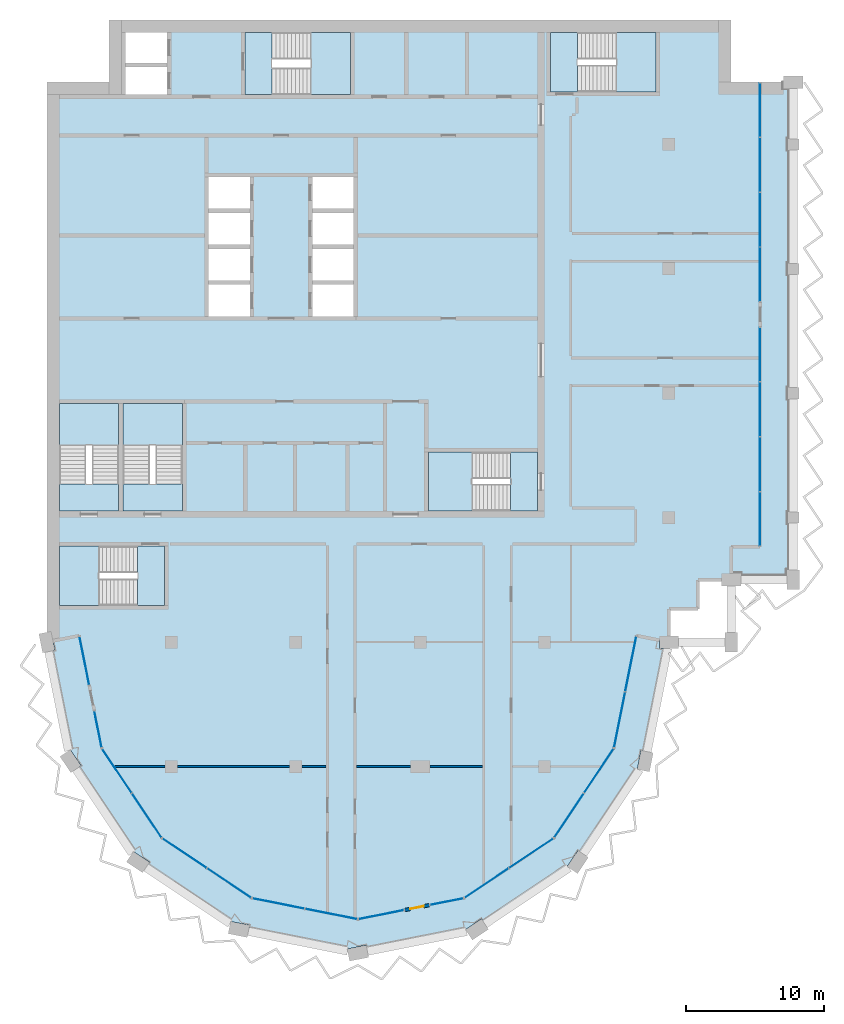
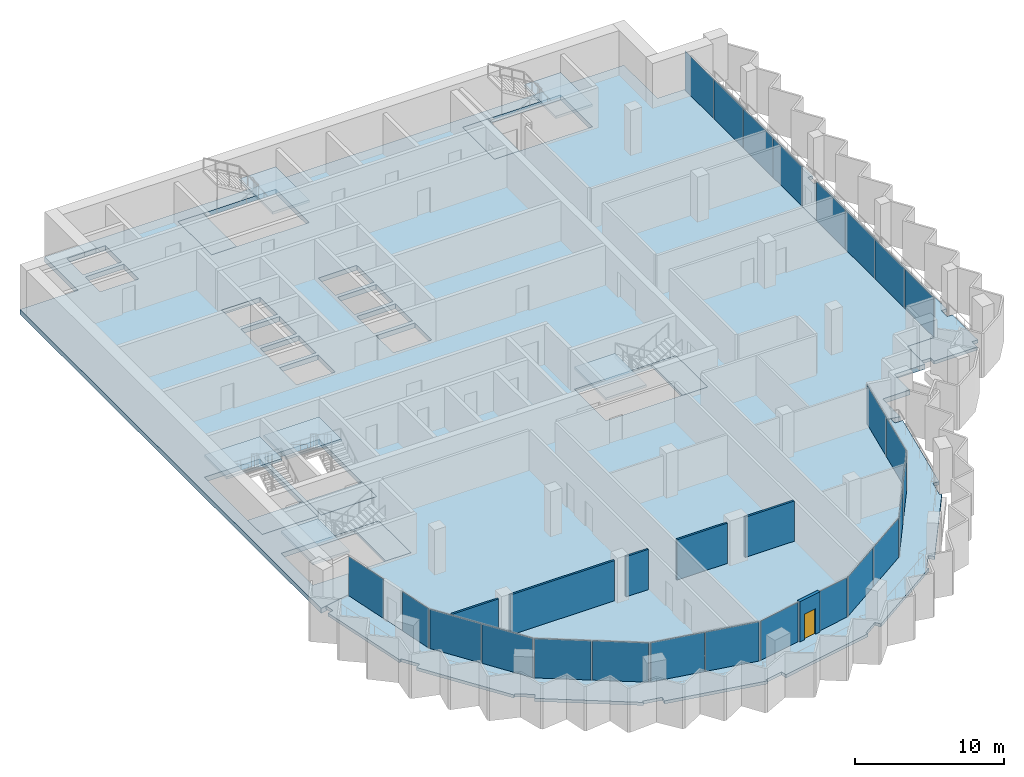
# One storey, part 6 of 14: 24 plates, 15 slabs, 6 walls, 1 door, 1 opening, 18 elements without a shape of their own.
"""IFC4 building model written with IfcOpenShell, lengths in metres."""

from ifc_helpers import new_model, si_unit, direction, frame, frame_2d, origin, origin_2d, place, context, subcontext, project, spatial, polyline, rectangle, outline, extrude, material, layer, layer_set, type_object, element, fill, aggregate, save


model = new_model("IFC4")

# Units and contexts
model_context = context("Model", 3, precision=1e-05, world=origin(), true_north=direction((0.0, 1.0)))
body_context = subcontext(model_context, "Body", "Model", "MODEL_VIEW")
ifc_project = project(units=[si_unit("LENGTHUNIT", "METRE"), si_unit("AREAUNIT", "SQUARE_METRE"), si_unit("VOLUMEUNIT", "CUBIC_METRE"), si_unit("PLANEANGLEUNIT", "RADIAN"), si_unit("MASSUNIT", "GRAM", prefix="KILO")], contexts=[model_context])

# Site, building, storey
site_placement = place(None, origin())
site = spatial("IfcSite", under=ifc_project, at=site_placement, CompositionType="ELEMENT")
building_placement = place(site_placement, origin())
building = spatial("IfcBuilding", under=site, at=building_placement, Name="Hunhe Ridgeline Campus", CompositionType="ELEMENT")
storey_placement = place(building_placement, frame((0.0, 0.0, 284.5)))
storey = spatial("IfcBuildingStorey", under=building, at=storey_placement, Name="L73", CompositionType="ELEMENT", Elevation=284.5)

# Curtain wall, plate
ifc_material_1 = material(Name="Aluminium 6063", Category="aluminium")
curtain_wall_type_1 = type_object("IfcCurtainWallType", Name="Curtain wall CW-5", PredefinedType="NOTDEFINED", material=ifc_material_1)
curtain_wall_1_placement = place(storey_placement, origin())
curtain_wall_1 = element("IfcCurtainWall", 1, at=curtain_wall_1_placement, inside=storey, type_object=curtain_wall_type_1, Name="Curtain wall 01", PredefinedType="NOTDEFINED")
ifc_material_2 = material(Name="Low-e laminated glass", Category="glass")
ifc_layer_1 = layer(ifc_material_2, 0.028076171875)
ifc_layer_set_1 = layer_set([ifc_layer_1], Name="Curtain wall glass panel 28 low-e laminated")
plate_type = type_object("IfcPlateType", Name="Curtain wall glass panel 28 low-e laminated", PredefinedType="CURTAIN_PANEL", material=ifc_layer_set_1)
plate_1_placement = place(storey_placement, frame((2.7158203125, 52.65380859375, 0.0), z_axis=(0.0, 0.0, 1.0), x_axis=(0.195095326561, -0.980784284924, 0.0)))
plate_1 = element("IfcPlate", 2, at=plate_1_placement, type_object=plate_type, Name="CW-5 panel 1", PredefinedType="CURTAIN_PANEL", context=body_context, shape_type="SweptSolid", body=[
    extrude(rectangle(XDim=3.560791015625, YDim=0.028076171875, at=origin_2d()), origin(), (0.0, 0.0, 1.0), 3.22998046875),
])
aggregate(curtain_wall_1, [plate_1])

curtain_wall_2_placement = place(storey_placement, origin())
curtain_wall_2 = element("IfcCurtainWall", 3, at=curtain_wall_2_placement, inside=storey, type_object=curtain_wall_type_1, Name="Curtain wall 02", PredefinedType="NOTDEFINED")
plate_2_placement = place(storey_placement, frame((3.701171875, 47.699951171875, 0.0), z_axis=(0.0, 0.0, 1.0), x_axis=(0.195095265587, -0.980784297053, 0.0)))
plate_2 = element("IfcPlate", 4, at=plate_2_placement, type_object=plate_type, Name="CW-5 panel 1", PredefinedType="CURTAIN_PANEL", context=body_context, shape_type="SweptSolid", body=[
    extrude(rectangle(XDim=2.660888671875, YDim=0.028076171875, at=origin_2d()), origin(), (0.0, 0.0, 1.0), 3.22998046875),
])
aggregate(curtain_wall_2, [plate_2])

# Curtain wall, plates
curtain_wall_3_placement = place(storey_placement, origin())
curtain_wall_3 = element("IfcCurtainWall", 5, at=curtain_wall_3_placement, inside=storey, type_object=curtain_wall_type_1, Name="Curtain wall 03", PredefinedType="NOTDEFINED")
plate_3_placement = place(storey_placement, frame((5.07080078125, 44.685546875, 0.0), z_axis=(0.0, 0.0, 1.0), x_axis=(0.555570274596, -0.831469584522, 0.0)))
plate_3 = element("IfcPlate", 6, at=plate_3_placement, type_object=plate_type, Name="CW-5 panel 1", PredefinedType="CURTAIN_PANEL", context=body_context, shape_type="SweptSolid", body=[
    extrude(rectangle(XDim=3.806884765625, YDim=0.028076171875, at=origin_2d()), origin(), (0.0, 0.0, 1.0), 3.22998046875),
])
plate_4_placement = place(storey_placement, frame((7.224609375, 41.4619140625, 0.0), z_axis=(0.0, 0.0, 1.0), x_axis=(0.555570274596, -0.831469584522, 0.0)))
plate_4 = element("IfcPlate", 7, at=plate_4_placement, type_object=plate_type, Name="CW-5 panel 2", PredefinedType="CURTAIN_PANEL", context=body_context, shape_type="SweptSolid", body=[
    extrude(rectangle(XDim=3.806884765625, YDim=0.028076171875, at=origin_2d()), origin(), (0.0, 0.0, 1.0), 3.22998046875),
])
aggregate(curtain_wall_3, [plate_3, plate_4])

curtain_wall_4_placement = place(storey_placement, origin())
curtain_wall_4 = element("IfcCurtainWall", 8, at=curtain_wall_4_placement, inside=storey, type_object=curtain_wall_type_1, Name="Curtain wall 04", PredefinedType="NOTDEFINED")
plate_5_placement = place(storey_placement, frame((9.9619140625, 38.724609375, 0.0), z_axis=(0.0, 0.0, 1.0), x_axis=(0.831469584522, -0.555570274596, 0.0)))
plate_5 = element("IfcPlate", 9, at=plate_5_placement, type_object=plate_type, Name="CW-5 panel 1", PredefinedType="CURTAIN_PANEL", context=body_context, shape_type="SweptSolid", body=[
    extrude(rectangle(XDim=3.806884765625, YDim=0.028076171875, at=origin_2d()), origin(), (0.0, 0.0, 1.0), 3.22998046875),
])
plate_6_placement = place(storey_placement, frame((13.185546875, 36.57080078125, 0.0), z_axis=(0.0, 0.0, 1.0), x_axis=(0.831469584522, -0.555570274596, 0.0)))
plate_6 = element("IfcPlate", 10, at=plate_6_placement, type_object=plate_type, Name="CW-5 panel 2", PredefinedType="CURTAIN_PANEL", context=body_context, shape_type="SweptSolid", body=[
    extrude(rectangle(XDim=3.806884765625, YDim=0.028076171875, at=origin_2d()), origin(), (0.0, 0.0, 1.0), 3.22998046875),
])
aggregate(curtain_wall_4, [plate_5, plate_6])

curtain_wall_5_placement = place(storey_placement, origin())
curtain_wall_5 = element("IfcCurtainWall", 11, at=curtain_wall_5_placement, inside=storey, type_object=curtain_wall_type_1, Name="Curtain wall 05", PredefinedType="NOTDEFINED")
plate_7_placement = place(storey_placement, frame((16.761962890625, 35.08935546875, 0.0), z_axis=(0.0, 0.0, 1.0), x_axis=(0.980785275326, -0.195090347539, 0.0)))
plate_7 = element("IfcPlate", 12, at=plate_7_placement, type_object=plate_type, Name="CW-5 panel 1", PredefinedType="CURTAIN_PANEL", context=body_context, shape_type="SweptSolid", body=[
    extrude(rectangle(XDim=3.806884765625, YDim=0.028076171875, at=origin_2d()), origin(), (0.0, 0.0, 1.0), 3.22998046875),
])
plate_8_placement = place(storey_placement, frame((20.564453125, 34.3330078125, 0.0), z_axis=(0.0, 0.0, 1.0), x_axis=(0.980785275326, -0.195090347539, 0.0)))
plate_8 = element("IfcPlate", 13, at=plate_8_placement, type_object=plate_type, Name="CW-5 panel 2", PredefinedType="CURTAIN_PANEL", context=body_context, shape_type="SweptSolid", body=[
    extrude(rectangle(XDim=3.806884765625, YDim=0.028076171875, at=origin_2d()), origin(), (0.0, 0.0, 1.0), 3.22998046875),
])
aggregate(curtain_wall_5, [plate_7, plate_8])

# Curtain wall, plate
curtain_wall_6_placement = place(storey_placement, origin())
curtain_wall_6 = element("IfcCurtainWall", 14, at=curtain_wall_6_placement, inside=storey, type_object=curtain_wall_type_1, Name="Curtain wall 06", PredefinedType="NOTDEFINED")
plate_9_placement = place(storey_placement, frame((24.19775390625, 34.28564453125, 0.0), z_axis=(0.0, 0.0, 1.0), x_axis=(0.980785270791, 0.19509037034, 0.0)))
plate_9 = element("IfcPlate", 15, at=plate_9_placement, type_object=plate_type, Name="CW-5 panel 1", PredefinedType="CURTAIN_PANEL", context=body_context, shape_type="SweptSolid", body=[
    extrude(rectangle(XDim=3.322021484375, YDim=0.028076171875, at=origin_2d()), origin(), (0.0, 0.0, 1.0), 3.22998046875),
])
aggregate(curtain_wall_6, [plate_9])

curtain_wall_7_placement = place(storey_placement, origin())
curtain_wall_7 = element("IfcCurtainWall", 16, at=curtain_wall_7_placement, inside=storey, type_object=curtain_wall_type_1, Name="Curtain wall 07", PredefinedType="NOTDEFINED")
plate_10_placement = place(storey_placement, frame((28.917236328125, 35.224609375, 0.0), z_axis=(0.0, 0.0, 1.0), x_axis=(0.980785242091, 0.195090514627, 0.0)))
plate_10 = element("IfcPlate", 17, at=plate_10_placement, type_object=plate_type, Name="CW-5 panel 1", PredefinedType="CURTAIN_PANEL", context=body_context, shape_type="SweptSolid", body=[
    extrude(rectangle(XDim=2.421875, YDim=0.028076171875, at=origin_2d()), origin(), (0.0, 0.0, 1.0), 3.22998046875),
])
aggregate(curtain_wall_7, [plate_10])

# Curtain wall, plates
curtain_wall_8_placement = place(storey_placement, origin())
curtain_wall_8 = element("IfcCurtainWall", 18, at=curtain_wall_8_placement, inside=storey, type_object=curtain_wall_type_1, Name="Curtain wall 08", PredefinedType="NOTDEFINED")
plate_11_placement = place(storey_placement, frame((31.814453125, 36.57080078125, 0.0), z_axis=(0.0, 0.0, 1.0), x_axis=(0.831469584522, 0.555570274596, 0.0)))
plate_11 = element("IfcPlate", 19, at=plate_11_placement, type_object=plate_type, Name="CW-5 panel 1", PredefinedType="CURTAIN_PANEL", context=body_context, shape_type="SweptSolid", body=[
    extrude(rectangle(XDim=3.806884765625, YDim=0.028076171875, at=origin_2d()), origin(), (0.0, 0.0, 1.0), 3.22998046875),
])
plate_12_placement = place(storey_placement, frame((35.0380859375, 38.724609375, 0.0), z_axis=(0.0, 0.0, 1.0), x_axis=(0.831469584522, 0.555570274596, 0.0)))
plate_12 = element("IfcPlate", 20, at=plate_12_placement, type_object=plate_type, Name="CW-5 panel 2", PredefinedType="CURTAIN_PANEL", context=body_context, shape_type="SweptSolid", body=[
    extrude(rectangle(XDim=3.806884765625, YDim=0.028076171875, at=origin_2d()), origin(), (0.0, 0.0, 1.0), 3.22998046875),
])
aggregate(curtain_wall_8, [plate_11, plate_12])

curtain_wall_9_placement = place(storey_placement, origin())
curtain_wall_9 = element("IfcCurtainWall", 21, at=curtain_wall_9_placement, inside=storey, type_object=curtain_wall_type_1, Name="Curtain wall 09", PredefinedType="NOTDEFINED")
plate_13_placement = place(storey_placement, frame((37.775390625, 41.4619140625, 0.0), z_axis=(0.0, 0.0, 1.0), x_axis=(0.555570274596, 0.831469584522, 0.0)))
plate_13 = element("IfcPlate", 22, at=plate_13_placement, type_object=plate_type, Name="CW-5 panel 1", PredefinedType="CURTAIN_PANEL", context=body_context, shape_type="SweptSolid", body=[
    extrude(rectangle(XDim=3.806884765625, YDim=0.028076171875, at=origin_2d()), origin(), (0.0, 0.0, 1.0), 3.22998046875),
])
plate_14_placement = place(storey_placement, frame((39.92919921875, 44.685546875, 0.0), z_axis=(0.0, 0.0, 1.0), x_axis=(0.555570274596, 0.831469584522, 0.0)))
plate_14 = element("IfcPlate", 23, at=plate_14_placement, type_object=plate_type, Name="CW-5 panel 2", PredefinedType="CURTAIN_PANEL", context=body_context, shape_type="SweptSolid", body=[
    extrude(rectangle(XDim=3.806884765625, YDim=0.028076171875, at=origin_2d()), origin(), (0.0, 0.0, 1.0), 3.22998046875),
])
aggregate(curtain_wall_9, [plate_13, plate_14])

curtain_wall_10_placement = place(storey_placement, origin())
curtain_wall_10 = element("IfcCurtainWall", 24, at=curtain_wall_10_placement, inside=storey, type_object=curtain_wall_type_1, Name="Curtain wall 10", PredefinedType="NOTDEFINED")
plate_15_placement = place(storey_placement, frame((41.433837890625, 48.379150390625, 0.0), z_axis=(0.0, 0.0, 1.0), x_axis=(0.19510421996, 0.980782515828, 0.0)))
plate_15 = element("IfcPlate", 25, at=plate_15_placement, type_object=plate_type, Name="CW-5 panel 1", PredefinedType="CURTAIN_PANEL", context=body_context, shape_type="SweptSolid", body=[
    extrude(rectangle(XDim=4.0458984375, YDim=0.028076171875, at=origin_2d()), origin(), (0.0, 0.0, 1.0), 3.22998046875),
])
plate_16_placement = place(storey_placement, frame((42.237060546875, 52.416015625, 0.0), z_axis=(0.0, 0.0, 1.0), x_axis=(0.19510421996, 0.980782515828, 0.0)))
plate_16 = element("IfcPlate", 26, at=plate_16_placement, type_object=plate_type, Name="CW-5 panel 2", PredefinedType="CURTAIN_PANEL", context=body_context, shape_type="SweptSolid", body=[
    extrude(rectangle(XDim=4.0458984375, YDim=0.028076171875, at=origin_2d()), origin(), (0.0, 0.0, 1.0), 3.22998046875),
])
aggregate(curtain_wall_10, [plate_15, plate_16])

curtain_wall_type_2 = type_object("IfcCurtainWallType", Name="Curtain wall CW-1", PredefinedType="NOTDEFINED", material=ifc_material_1)
curtain_wall_11_placement = place(storey_placement, origin())
curtain_wall_11 = element("IfcCurtainWall", 27, at=curtain_wall_11_placement, inside=storey, type_object=curtain_wall_type_2, Name="Curtain wall 11", PredefinedType="NOTDEFINED")
plate_17_placement = place(storey_placement, frame((51.59912109375, 62.9033203125, 0.0), z_axis=(0.0, 0.0, 1.0), x_axis=(0.0, 1.0, 0.0)))
plate_17 = element("IfcPlate", 28, at=plate_17_placement, type_object=plate_type, Name="CW-1 panel 1", PredefinedType="CURTAIN_PANEL", context=body_context, shape_type="SweptSolid", body=[
    extrude(rectangle(XDim=3.884765625, YDim=0.028076171875, at=origin_2d()), origin(), (0.0, 0.0, 1.0), 3.239990234375),
])
plate_18_placement = place(storey_placement, frame((51.59912109375, 66.86328125, 0.0), z_axis=(0.0, 0.0, 1.0), x_axis=(0.0, 1.0, 0.0)))
plate_18 = element("IfcPlate", 29, at=plate_18_placement, type_object=plate_type, Name="CW-1 panel 2", PredefinedType="CURTAIN_PANEL", context=body_context, shape_type="SweptSolid", body=[
    extrude(rectangle(XDim=3.914794921875, YDim=0.028076171875, at=origin_2d()), origin(), (0.0, 0.0, 1.0), 3.239990234375),
])
plate_19_placement = place(storey_placement, frame((51.59912109375, 70.838134765625, 0.0), z_axis=(0.0, 0.0, 1.0), x_axis=(0.0, 1.0, 0.0)))
plate_19 = element("IfcPlate", 30, at=plate_19_placement, type_object=plate_type, Name="CW-1 panel 3", PredefinedType="CURTAIN_PANEL", context=body_context, shape_type="SweptSolid", body=[
    extrude(rectangle(XDim=3.914794921875, YDim=0.028076171875, at=origin_2d()), origin(), (0.0, 0.0, 1.0), 3.239990234375),
])
plate_20_placement = place(storey_placement, frame((51.59912109375, 74.798095703125, 0.0), z_axis=(0.0, 0.0, 1.0), x_axis=(0.0, 1.0, 0.0)))
plate_20 = element("IfcPlate", 31, at=plate_20_placement, type_object=plate_type, Name="CW-1 panel 4", PredefinedType="CURTAIN_PANEL", context=body_context, shape_type="SweptSolid", body=[
    extrude(rectangle(XDim=3.884765625, YDim=0.028076171875, at=origin_2d()), origin(), (0.0, 0.0, 1.0), 3.239990234375),
])
aggregate(curtain_wall_11, [plate_17, plate_18, plate_19, plate_20])

curtain_wall_12_placement = place(storey_placement, origin())
curtain_wall_12 = element("IfcCurtainWall", 32, at=curtain_wall_12_placement, inside=storey, type_object=curtain_wall_type_2, Name="Curtain wall 12", PredefinedType="NOTDEFINED")
plate_21_placement = place(storey_placement, frame((51.59912109375, 80.60302734375, 0.0), z_axis=(0.0, 0.0, 1.0), x_axis=(0.0, 1.0, 0.0)))
plate_21 = element("IfcPlate", 33, at=plate_21_placement, type_object=plate_type, Name="CW-1 panel 1", PredefinedType="CURTAIN_PANEL", context=body_context, shape_type="SweptSolid", body=[
    extrude(rectangle(XDim=3.884765625, YDim=0.028076171875, at=origin_2d()), origin(), (0.0, 0.0, 1.0), 3.239990234375),
])
plate_22_placement = place(storey_placement, frame((51.59912109375, 84.562744140625, 0.0), z_axis=(0.0, 0.0, 1.0), x_axis=(0.0, 1.0, 0.0)))
plate_22 = element("IfcPlate", 34, at=plate_22_placement, type_object=plate_type, Name="CW-1 panel 2", PredefinedType="CURTAIN_PANEL", context=body_context, shape_type="SweptSolid", body=[
    extrude(rectangle(XDim=3.914794921875, YDim=0.028076171875, at=origin_2d()), origin(), (0.0, 0.0, 1.0), 3.239990234375),
])
plate_23_placement = place(storey_placement, frame((51.59912109375, 88.53759765625, 0.0), z_axis=(0.0, 0.0, 1.0), x_axis=(0.0, 1.0, 0.0)))
plate_23 = element("IfcPlate", 35, at=plate_23_placement, type_object=plate_type, Name="CW-1 panel 3", PredefinedType="CURTAIN_PANEL", context=body_context, shape_type="SweptSolid", body=[
    extrude(rectangle(XDim=3.914794921875, YDim=0.028076171875, at=origin_2d()), origin(), (0.0, 0.0, 1.0), 3.239990234375),
])
plate_24_placement = place(storey_placement, frame((51.59912109375, 92.49755859375, 0.0), z_axis=(0.0, 0.0, 1.0), x_axis=(0.0, 1.0, 0.0)))
plate_24 = element("IfcPlate", 36, at=plate_24_placement, type_object=plate_type, Name="CW-1 panel 4", PredefinedType="CURTAIN_PANEL", context=body_context, shape_type="SweptSolid", body=[
    extrude(rectangle(XDim=3.884765625, YDim=0.028076171875, at=origin_2d()), origin(), (0.0, 0.0, 1.0), 3.239990234375),
])
aggregate(curtain_wall_12, [plate_21, plate_22, plate_23, plate_24])

# Slabs
ifc_material_3 = material(Name="Concrete C40", Category="concrete")
ifc_layer_2 = layer(ifc_material_3, 0.39990234375)
ifc_layer_set_2 = layer_set([ifc_layer_2], Name="Floor slab 400 Concrete C40")
slab_type_1 = type_object("IfcSlabType", Name="Floor slab 400 Concrete C40", PredefinedType="FLOOR", material=ifc_layer_set_2)
slab_1_placement = place(storey_placement, frame((0.0, 0.0, -0.39990234375)))
element("IfcSlab", 37, at=slab_1_placement, inside=storey, type_object=slab_type_1, Name="Floor slab L73 1", PredefinedType="FLOOR", context=body_context, shape_type="SweptSolid", body=[
    extrude(outline(polyline([(36.678955078125, 39.821044921875), (41.025634765625, 46.326416015625), (42.645263671875, 54.46875), (44.9990234375, 54.001220703125), (44.999267578125, 56.400634765625), (47.09912109375, 56.40087890625), (47.099609375, 58.5009765625), (49.4990234375, 58.5009765625), (49.49951171875, 60.90087890625), (51.59912109375, 60.90087890625), (51.59912109375, 94.5), (49.5, 94.5), (49.5, 99.0), (4.5, 99.0), (4.5, 94.5), (0.0, 94.5), (0.0, 54.0009765625), (2.354736328125, 54.46875), (3.974365234375, 46.326416015625), (8.321044921875, 39.821044921875), (14.826416015625, 35.474365234375), (22.5, 33.947998046875), (30.173583984375, 35.474365234375), (36.678955078125, 39.821044921875)]), holes=[polyline([(44.050048828125, 98.10009765625), (36.449951171875, 98.10009765625), (36.449951171875, 93.800048828125), (44.050048828125, 93.800048828125), (44.050048828125, 98.10009765625)]), polyline([(27.60009765625, 67.75), (27.60009765625, 63.5), (35.5, 63.5), (35.5, 67.75), (27.60009765625, 67.75)]), polyline([(22.199951171875, 85.35009765625), (22.199951171875, 87.64990234375), (19.199951171875, 87.64990234375), (19.199951171875, 85.35009765625), (22.199951171875, 85.35009765625)]), polyline([(22.199951171875, 85.050048828125), (19.199951171875, 85.050048828125), (19.199951171875, 82.75), (22.199951171875, 82.75), (22.199951171875, 85.050048828125)]), polyline([(19.199951171875, 82.449951171875), (19.199951171875, 80.14990234375), (22.199951171875, 80.14990234375), (22.199951171875, 82.449951171875), (19.199951171875, 82.449951171875)]), polyline([(19.199951171875, 77.550048828125), (22.199951171875, 77.550048828125), (22.199951171875, 79.85009765625), (19.199951171875, 79.85009765625), (19.199951171875, 77.550048828125)]), polyline([(21.949951171875, 98.10009765625), (14.35009765625, 98.10009765625), (14.35009765625, 93.60009765625), (21.949951171875, 93.60009765625), (21.949951171875, 98.10009765625)]), polyline([(14.699951171875, 85.35009765625), (14.699951171875, 87.64990234375), (11.699951171875, 87.64990234375), (11.699951171875, 85.35009765625), (14.699951171875, 85.35009765625)]), polyline([(14.699951171875, 85.050048828125), (11.699951171875, 85.050048828125), (11.699951171875, 82.75), (14.699951171875, 82.75), (14.699951171875, 85.050048828125)]), polyline([(11.699951171875, 82.449951171875), (11.699951171875, 80.14990234375), (14.699951171875, 80.14990234375), (14.699951171875, 82.449951171875), (11.699951171875, 82.449951171875)]), polyline([(11.699951171875, 77.550048828125), (14.699951171875, 77.550048828125), (14.699951171875, 79.85009765625), (11.699951171875, 79.85009765625), (11.699951171875, 77.550048828125)]), polyline([(5.5, 63.5), (9.800048828125, 63.5), (9.800048828125, 71.25), (5.5, 71.25), (5.5, 63.5)]), polyline([(5.699951171875, 98.10009765625), (5.699951171875, 95.89990234375), (8.699951171875, 95.89990234375), (8.699951171875, 98.10009765625), (5.699951171875, 98.10009765625)]), polyline([(5.699951171875, 93.60009765625), (8.699951171875, 93.60009765625), (8.699951171875, 95.60009765625), (5.699951171875, 95.60009765625), (5.699951171875, 93.60009765625)]), polyline([(0.89990234375, 60.949951171875), (0.89990234375, 56.64990234375), (8.5, 56.64990234375), (8.5, 60.949951171875), (0.89990234375, 60.949951171875)]), polyline([(5.199951171875, 63.5), (5.199951171875, 71.25), (0.89990234375, 71.25), (0.89990234375, 63.5), (5.199951171875, 63.5)])]), origin(), (0.0, 0.0, 1.0), 0.39990234375),
])
ifc_layer_3 = layer(ifc_material_3, 0.25)
ifc_layer_set_3 = layer_set([ifc_layer_3], Name="Loggia slab 250 Concrete C40")
slab_type_2 = type_object("IfcSlabType", Name="Loggia slab 250 Concrete C40", PredefinedType="FLOOR", material=ifc_layer_set_3)
slab_2_placement = place(storey_placement, frame((0.0, 0.0, -0.25)))
element("IfcSlab", 38, at=slab_2_placement, inside=storey, type_object=slab_type_2, Name="Loggia slab 1", PredefinedType="FLOOR", context=body_context, shape_type="SweptSolid", body=[
    extrude(outline(polyline([(30.173828125, 35.473388671875), (22.5, 33.947021484375), (14.826171875, 35.473388671875), (8.3203125, 39.8203125), (3.973388671875, 46.326171875), (2.35400390625, 54.46826171875), (0.44140625, 54.087890625), (0.577880859375, 53.401123046875), (0.136474609375, 53.3134765625), (1.56494140625, 46.1328125), (1.697998046875, 46.2216796875), (2.475830078125, 45.0576171875), (2.1015625, 44.8076171875), (6.169189453125, 38.719970703125), (6.258056640625, 38.853271484375), (7.422119140625, 38.075439453125), (7.172119140625, 37.701171875), (13.259521484375, 33.633544921875), (13.290771484375, 33.79052734375), (14.6640625, 33.517578125), (14.576171875, 33.076171875), (21.7568359375, 31.647705078125), (21.7255859375, 31.8046875), (23.098876953125, 32.077880859375), (23.1865234375, 31.636474609375), (30.3671875, 33.06494140625), (30.2783203125, 33.197998046875), (31.4423828125, 33.975830078125), (31.6923828125, 33.6015625), (37.780029296875, 37.669189453125), (37.646728515625, 37.758056640625), (38.424560546875, 38.922119140625), (38.798828125, 38.672119140625), (42.866455078125, 44.759521484375), (42.70947265625, 44.790771484375), (42.982421875, 46.1640625), (43.423828125, 46.076171875), (44.910400390625, 53.550048828125), (44.300048828125, 53.550048828125), (44.300048828125, 54.13916015625), (42.64599609375, 54.46826171875), (41.026611328125, 46.326171875), (36.6796875, 39.8203125), (30.173828125, 35.473388671875)])), origin(), (0.0, 0.0, 1.0), 0.25),
])
slab_3_placement = place(storey_placement, frame((0.0, 0.0, -0.25)))
element("IfcSlab", 39, at=slab_3_placement, inside=storey, type_object=slab_type_2, Name="Loggia slab 2", PredefinedType="FLOOR", context=body_context, shape_type="SweptSolid", body=[
    extrude(outline(polyline([(49.5, 58.949951171875), (50.199951171875, 58.949951171875), (50.199951171875, 58.5), (53.550048828125, 58.5), (53.550048828125, 59.199951171875), (54.0, 59.199951171875), (54.0, 62.60009765625), (53.60009765625, 62.60009765625), (53.60009765625, 63.39990234375), (54.0, 63.39990234375), (54.0, 71.60009765625), (53.60009765625, 71.60009765625), (53.60009765625, 72.39990234375), (54.0, 72.39990234375), (54.0, 80.60009765625), (53.60009765625, 80.60009765625), (53.60009765625, 81.39990234375), (54.0, 81.39990234375), (54.0, 89.60009765625), (53.60009765625, 89.60009765625), (53.60009765625, 90.39990234375), (54.0, 90.39990234375), (54.0, 94.050048828125), (53.300048828125, 94.050048828125), (53.300048828125, 94.5), (51.60009765625, 94.5), (51.60009765625, 60.89990234375), (49.5, 60.89990234375), (49.5, 58.949951171875)])), origin(), (0.0, 0.0, 1.0), 0.25),
])

# Stair, slab
stair_type = type_object("IfcStairType", Name="Reinforced concrete dog-leg stair 1950 Concrete C40", PredefinedType="HALF_TURN_STAIR", material=ifc_material_3)
stair_1_placement = place(storey_placement, origin())
stair_1 = element("IfcStair", 40, at=stair_1_placement, inside=storey, type_object=stair_type, Name="L73 S1", PredefinedType="HALF_TURN_STAIR")
ifc_layer_4 = layer(ifc_material_3, 0.199951171875)
ifc_layer_set_4 = layer_set([ifc_layer_4], Name="Reinforced concrete stair landing 200 Concrete C40")
slab_type_3 = type_object("IfcSlabType", Name="Reinforced concrete stair landing 200 Concrete C40", PredefinedType="LANDING", material=ifc_layer_set_4)
slab_4_placement = place(storey_placement, frame((0.0, 0.0, 1.64990234375)))
slab_4 = element("IfcSlab", 41, at=slab_4_placement, type_object=slab_type_3, Name="ST1 landing 1", PredefinedType="LANDING", context=body_context, shape_type="SweptSolid", body=[
    extrude(outline(polyline([(19.10009765625, 93.60009765625), (21.949951171875, 93.60009765625), (21.949951171875, 98.10009765625), (19.10009765625, 98.10009765625), (19.10009765625, 93.60009765625)])), origin(), (0.0, 0.0, 1.0), 0.2001953125),
])
aggregate(stair_1, [slab_4])

# Slab
slab_5_placement = place(storey_placement, frame((0.0, 0.0, -0.199951171875)))
element("IfcSlab", 42, at=slab_5_placement, inside=storey, type_object=slab_type_3, Name="L73 stair S1 floor landing", PredefinedType="LANDING", context=body_context, shape_type="SweptSolid", body=[
    extrude(outline(polyline([(14.35009765625, 93.60009765625), (16.300048828125, 93.60009765625), (16.300048828125, 98.10009765625), (14.35009765625, 98.10009765625), (14.35009765625, 93.60009765625)])), origin(), (0.0, 0.0, 1.0), 0.199951171875),
])

# Stair, slab
stair_2_placement = place(storey_placement, origin())
stair_2 = element("IfcStair", 43, at=stair_2_placement, inside=storey, type_object=stair_type, Name="L73 S2", PredefinedType="HALF_TURN_STAIR")
slab_6_placement = place(storey_placement, frame((0.0, 0.0, 1.64990234375)))
slab_6 = element("IfcSlab", 44, at=slab_6_placement, type_object=slab_type_3, Name="ST2 landing 1", PredefinedType="LANDING", context=body_context, shape_type="SweptSolid", body=[
    extrude(outline(polyline([(30.75, 67.75), (27.60009765625, 67.75), (27.60009765625, 63.5), (30.75, 63.5), (30.75, 67.75)])), origin(), (0.0, 0.0, 1.0), 0.2001953125),
])
aggregate(stair_2, [slab_6])

# Slab
slab_7_placement = place(storey_placement, frame((0.0, 0.0, -0.199951171875)))
element("IfcSlab", 45, at=slab_7_placement, inside=storey, type_object=slab_type_3, Name="L73 stair S2 floor landing", PredefinedType="LANDING", context=body_context, shape_type="SweptSolid", body=[
    extrude(outline(polyline([(35.5, 67.75), (33.550048828125, 67.75), (33.550048828125, 63.5), (35.5, 63.5), (35.5, 67.75)])), origin(), (0.0, 0.0, 1.0), 0.199951171875),
])

# Stair, slab
stair_3_placement = place(storey_placement, origin())
stair_3 = element("IfcStair", 46, at=stair_3_placement, inside=storey, type_object=stair_type, Name="L73 S3", PredefinedType="HALF_TURN_STAIR")
slab_8_placement = place(storey_placement, frame((0.0, 0.0, 1.64990234375)))
slab_8 = element("IfcSlab", 47, at=slab_8_placement, type_object=slab_type_3, Name="ST3 landing 1", PredefinedType="LANDING", context=body_context, shape_type="SweptSolid", body=[
    extrude(outline(polyline([(5.199951171875, 68.25), (5.199951171875, 71.25), (0.89990234375, 71.25), (0.89990234375, 68.25), (5.199951171875, 68.25)])), origin(), (0.0, 0.0, 1.0), 0.2001953125),
])
aggregate(stair_3, [slab_8])

# Slab
slab_9_placement = place(storey_placement, frame((0.0, 0.0, -0.199951171875)))
element("IfcSlab", 48, at=slab_9_placement, inside=storey, type_object=slab_type_3, Name="L73 stair S3 floor landing", PredefinedType="LANDING", context=body_context, shape_type="SweptSolid", body=[
    extrude(outline(polyline([(5.199951171875, 63.5), (5.199951171875, 65.449951171875), (0.89990234375, 65.449951171875), (0.89990234375, 63.5), (5.199951171875, 63.5)])), origin(), (0.0, 0.0, 1.0), 0.199951171875),
])

# Stair, slab
stair_4_placement = place(storey_placement, origin())
stair_4 = element("IfcStair", 49, at=stair_4_placement, inside=storey, type_object=stair_type, Name="L73 S4", PredefinedType="HALF_TURN_STAIR")
slab_10_placement = place(storey_placement, frame((0.0, 0.0, 1.64990234375)))
slab_10 = element("IfcSlab", 50, at=slab_10_placement, type_object=slab_type_3, Name="ST4 landing 1", PredefinedType="LANDING", context=body_context, shape_type="SweptSolid", body=[
    extrude(outline(polyline([(9.800048828125, 68.25), (9.800048828125, 71.25), (5.5, 71.25), (5.5, 68.25), (9.800048828125, 68.25)])), origin(), (0.0, 0.0, 1.0), 0.2001953125),
])
aggregate(stair_4, [slab_10])

# Slab
slab_11_placement = place(storey_placement, frame((0.0, 0.0, -0.199951171875)))
element("IfcSlab", 51, at=slab_11_placement, inside=storey, type_object=slab_type_3, Name="L73 stair S4 floor landing", PredefinedType="LANDING", context=body_context, shape_type="SweptSolid", body=[
    extrude(outline(polyline([(9.800048828125, 63.5), (9.800048828125, 65.449951171875), (5.5, 65.449951171875), (5.5, 63.5), (9.800048828125, 63.5)])), origin(), (0.0, 0.0, 1.0), 0.199951171875),
])

# Stair, slab
stair_5_placement = place(storey_placement, origin())
stair_5 = element("IfcStair", 52, at=stair_5_placement, inside=storey, type_object=stair_type, Name="L73 E1", PredefinedType="HALF_TURN_STAIR")
slab_12_placement = place(storey_placement, frame((0.0, 0.0, 1.64990234375)))
slab_12 = element("IfcSlab", 53, at=slab_12_placement, type_object=slab_type_3, Name="ST5 landing 1", PredefinedType="LANDING", context=body_context, shape_type="SweptSolid", body=[
    extrude(outline(polyline([(41.199951171875, 93.800048828125), (44.050048828125, 93.800048828125), (44.050048828125, 98.10009765625), (41.199951171875, 98.10009765625), (41.199951171875, 93.800048828125)])), origin(), (0.0, 0.0, 1.0), 0.2001953125),
])
aggregate(stair_5, [slab_12])

# Slab
slab_13_placement = place(storey_placement, frame((0.0, 0.0, -0.199951171875)))
element("IfcSlab", 54, at=slab_13_placement, inside=storey, type_object=slab_type_3, Name="L73 stair E1 floor landing", PredefinedType="LANDING", context=body_context, shape_type="SweptSolid", body=[
    extrude(outline(polyline([(36.449951171875, 93.800048828125), (38.39990234375, 93.800048828125), (38.39990234375, 98.10009765625), (36.449951171875, 98.10009765625), (36.449951171875, 93.800048828125)])), origin(), (0.0, 0.0, 1.0), 0.199951171875),
])

# Stair, slab
stair_6_placement = place(storey_placement, origin())
stair_6 = element("IfcStair", 55, at=stair_6_placement, inside=storey, type_object=stair_type, Name="L73 W2", PredefinedType="HALF_TURN_STAIR")
slab_14_placement = place(storey_placement, frame((0.0, 0.0, 1.64990234375)))
slab_14 = element("IfcSlab", 56, at=slab_14_placement, type_object=slab_type_3, Name="ST12 landing 1", PredefinedType="LANDING", context=body_context, shape_type="SweptSolid", body=[
    extrude(outline(polyline([(3.75, 60.949951171875), (0.89990234375, 60.949951171875), (0.89990234375, 56.64990234375), (3.75, 56.64990234375), (3.75, 60.949951171875)])), origin(), (0.0, 0.0, 1.0), 0.2001953125),
])
aggregate(stair_6, [slab_14])

# Slab
slab_15_placement = place(storey_placement, frame((0.0, 0.0, -0.199951171875)))
element("IfcSlab", 57, at=slab_15_placement, inside=storey, type_object=slab_type_3, Name="L73 stair W2 floor landing", PredefinedType="LANDING", context=body_context, shape_type="SweptSolid", body=[
    extrude(outline(polyline([(8.5, 60.949951171875), (6.550048828125, 60.949951171875), (6.550048828125, 56.64990234375), (8.5, 56.64990234375), (8.5, 60.949951171875)])), origin(), (0.0, 0.0, 1.0), 0.199951171875),
])

# Wall, opening, door
ifc_material_4 = material(Name="Concrete C30", Category="concrete")
ifc_layer_5 = layer(ifc_material_4, 0.25)
ifc_layer_set_5 = layer_set([ifc_layer_5], Name="Loggia door pier wall 250 Concrete C30")
wall_type_1 = type_object("IfcWallType", Name="Loggia door pier wall 250 Concrete C30", PredefinedType="SOLIDWALL", material=ifc_layer_set_5)
wall_1_placement = place(storey_placement, frame((25.8955078125, 34.62353515625, 0.0), z_axis=(0.0, 0.0, 1.0), x_axis=(0.980793982239, 0.195046569833, 0.0)))
wall_1 = element("IfcWall", 58, at=wall_1_placement, inside=storey, type_object=wall_type_1, Name="Loggia door pier 2", PredefinedType="SOLIDWALL", context=body_context, shape_type="SweptSolid", body=[
    extrude(rectangle(XDim=1.800048828125, YDim=0.25, at=frame_2d((0.89990234375, 0.0))), origin(), (0.0, 0.0, 1.0), 3.300048828125),
])
opening_placement = place(wall_1_placement, frame((0.39990234375, 0.0, 0.0)))
opening = element("IfcOpeningElement", 59, at=opening_placement, cuts=wall_1, Name="Opening BD603", PredefinedType="OPENING", context=body_context, shape_type="SweptSolid", body=[
    extrude(rectangle(XDim=1.0, YDim=2.10009765625, at=frame_2d((0.5, 1.050048828125))), frame((0.0, 0.125, 0.0), z_axis=(0.0, -1.0, 0.0), x_axis=(1.0, 0.0, 0.0)), (0.0, 0.0, 1.0), 0.25),
])
door_type = type_object("IfcDoorType", Name="Loggia glazed door 1000x2100", OperationType="NOTDEFINED", PredefinedType="DOOR", material=ifc_material_1)
door_placement = place(opening_placement, frame((1.0, 0.0, 0.0), z_axis=(0.0, 0.0, 1.0), x_axis=(-1.0, 0.0, 0.0)))
door = element("IfcDoor", 60, at=door_placement, inside=storey, type_object=door_type, Name="Loggia door BD603", OperationType="SINGLE_SWING_RIGHT", OverallHeight=2.10009765625, OverallWidth=1.0, PredefinedType="DOOR", context=body_context, shape_type="SweptSolid", body=[
    extrude(rectangle(XDim=1.0, YDim=2.10009765625, at=frame_2d((0.5, 1.050048828125))), frame((0.0, 0.02490234375, 0.0), z_axis=(0.0, -1.0, 0.0), x_axis=(1.0, 0.0, 0.0)), (0.0, 0.0, 1.0), 0.050048828125),
])
fill(opening, door)

# Walls
ifc_material_5 = material(Name="Gypsum board partition")
ifc_layer_6 = layer(ifc_material_5, 0.14990234375)
ifc_layer_set_6 = layer_set([ifc_layer_6], Name="Room partition 150 gypsum board on steel studs")
wall_type_2 = type_object("IfcWallType", Name="Room partition 150 gypsum board on steel studs", PredefinedType="PARTITIONING", material=ifc_layer_set_6)
wall_2_placement = place(storey_placement, frame((4.925537109375, 45.0, 0.0), z_axis=(0.0, 0.0, 1.0), x_axis=(1.0, 0.0, 0.0)))
element("IfcWall", 61, at=wall_2_placement, inside=storey, type_object=wall_type_2, Name="F-L73-wall-001", PredefinedType="PARTITIONING", context=body_context, shape_type="SweptSolid", body=[
    extrude(rectangle(XDim=3.62451171875, YDim=0.14990234375, at=frame_2d((1.812255859375, 0.0))), origin(), (0.0, 0.0, 1.0), 3.300048828125),
])
wall_3_placement = place(storey_placement, frame((9.449951171875, 45.0, 0.0), z_axis=(0.0, 0.0, 1.0), x_axis=(1.0, 0.0, 0.0)))
element("IfcWall", 62, at=wall_3_placement, inside=storey, type_object=wall_type_2, Name="F-L73-wall-002", PredefinedType="PARTITIONING", context=body_context, shape_type="SweptSolid", body=[
    extrude(rectangle(XDim=8.10009765625, YDim=0.14990234375, at=frame_2d((4.050048828125, 0.0))), origin(), (0.0, 0.0, 1.0), 3.300048828125),
])
wall_4_placement = place(storey_placement, frame((18.449951171875, 45.0, 0.0), z_axis=(0.0, 0.0, 1.0), x_axis=(1.0, 0.0, 0.0)))
element("IfcWall", 63, at=wall_4_placement, inside=storey, type_object=wall_type_2, Name="F-L73-wall-003", PredefinedType="PARTITIONING", context=body_context, shape_type="SweptSolid", body=[
    extrude(rectangle(XDim=1.75, YDim=0.14990234375, at=frame_2d((0.875, 0.0))), origin(), (0.0, 0.0, 1.0), 3.300048828125),
])
wall_5_placement = place(storey_placement, frame((22.39990234375, 45.0, 0.0), z_axis=(0.0, 0.0, 1.0), x_axis=(1.0, 0.0, 0.0)))
element("IfcWall", 64, at=wall_5_placement, inside=storey, type_object=wall_type_2, Name="F-L73-wall-004", PredefinedType="PARTITIONING", context=body_context, shape_type="SweptSolid", body=[
    extrude(rectangle(XDim=3.900146484375, YDim=0.14990234375, at=frame_2d((1.9501953125, 0.0))), origin(), (0.0, 0.0, 1.0), 3.300048828125),
])
wall_6_placement = place(storey_placement, frame((27.699951171875, 45.0, 0.0), z_axis=(0.0, 0.0, 1.0), x_axis=(1.0, 0.0, 0.0)))
element("IfcWall", 65, at=wall_6_placement, inside=storey, type_object=wall_type_2, Name="F-L73-wall-005", PredefinedType="PARTITIONING", context=body_context, shape_type="SweptSolid", body=[
    extrude(rectangle(XDim=3.800048828125, YDim=0.14990234375, at=frame_2d((1.89990234375, 0.0))), origin(), (0.0, 0.0, 1.0), 3.300048828125),
])

save(model, "model.ifc")
